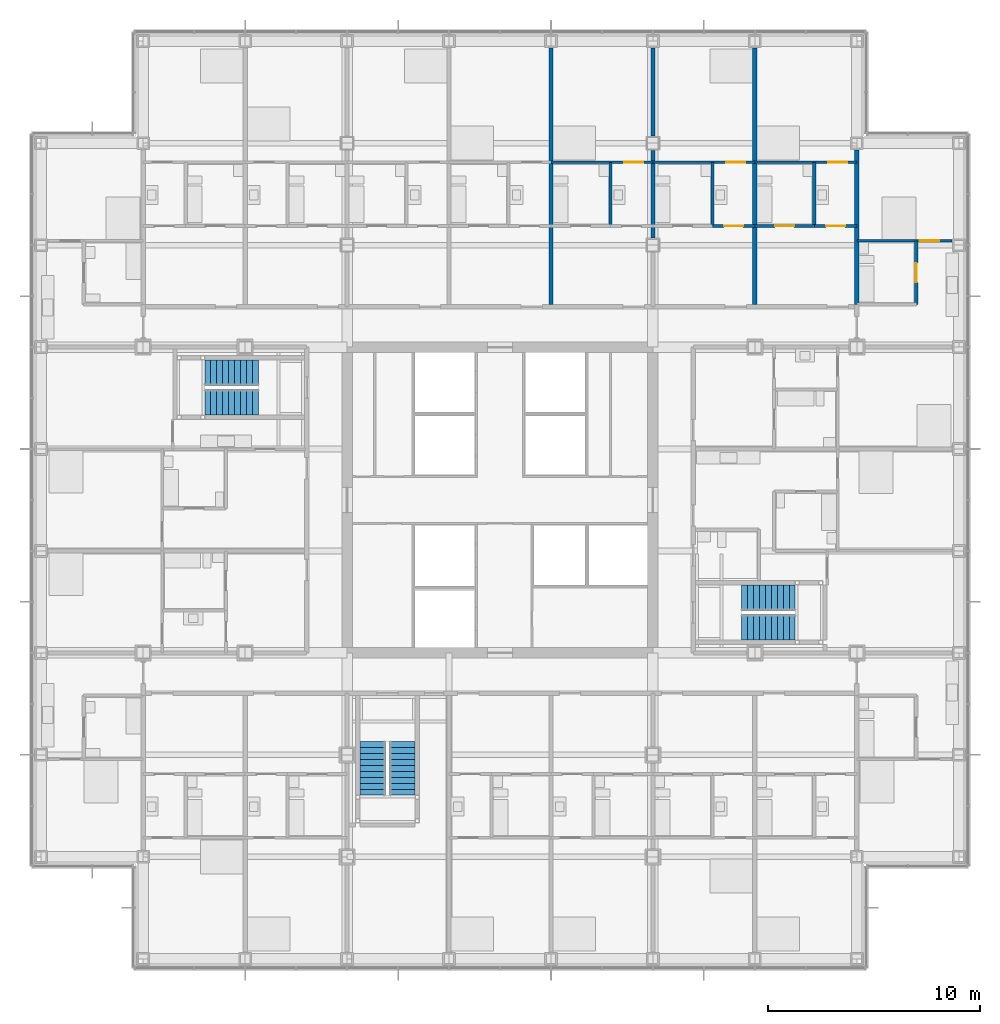
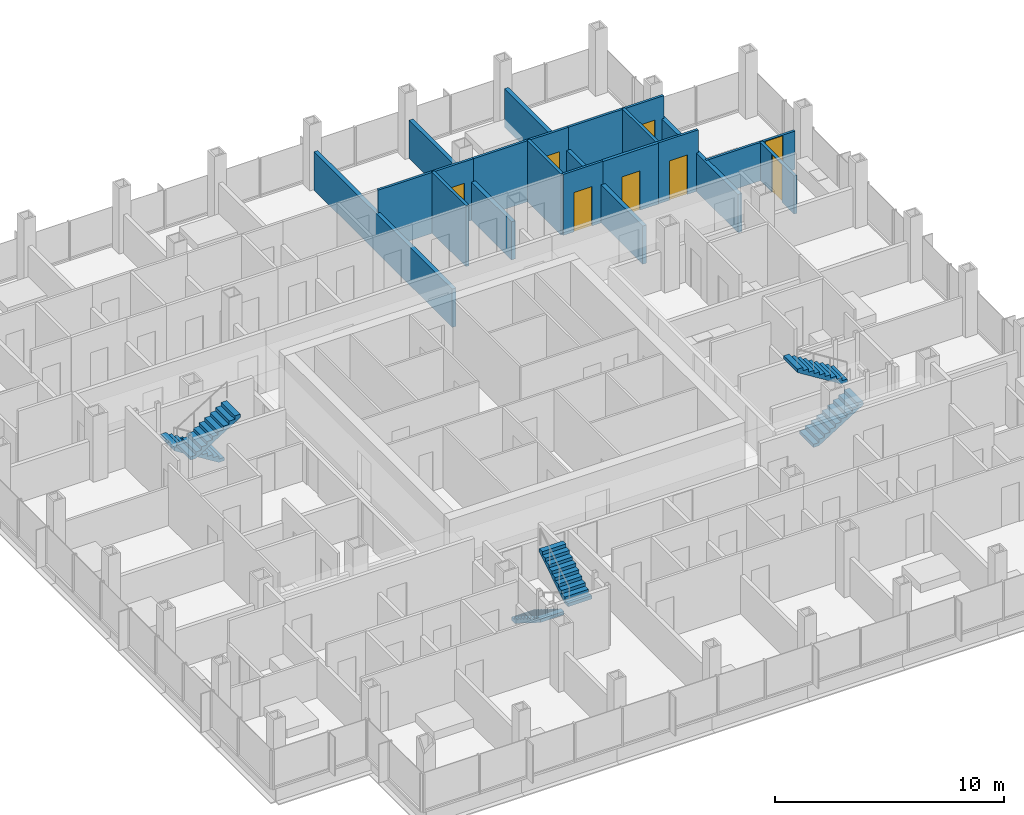
# One storey, part 19 of 22: 16 walls, 8 doors, 6 stair flights, 8 openings, 3 elements without a shape of their own.
"""IFC4 building model written with IfcOpenShell, lengths in metres."""

from ifc_helpers import new_model, si_unit, direction, frame, frame_2d, origin, place, context, subcontext, project, spatial, polyline, rectangle, outline, extrude, material, layer, layer_set, type_object, element, fill, aggregate, save


model = new_model("IFC4")

# Units and contexts
model_context = context("Model", 3, precision=1e-05, world=origin(), true_north=direction((0.0, 1.0)))
body_context = subcontext(model_context, "Body", "Model", "MODEL_VIEW")
ifc_project = project(units=[si_unit("LENGTHUNIT", "METRE"), si_unit("AREAUNIT", "SQUARE_METRE"), si_unit("VOLUMEUNIT", "CUBIC_METRE"), si_unit("PLANEANGLEUNIT", "RADIAN"), si_unit("MASSUNIT", "GRAM", prefix="KILO")], contexts=[model_context])

# Site, building, storey
site_placement = place(None, origin())
site = spatial("IfcSite", under=ifc_project, at=site_placement, CompositionType="ELEMENT")
building_placement = place(site_placement, origin())
building = spatial("IfcBuilding", under=site, at=building_placement, Name="Kvirike Care Tower", CompositionType="ELEMENT")
storey_placement = place(building_placement, frame((0.0, 0.0, 76.0)))
storey = spatial("IfcBuildingStorey", under=building, at=storey_placement, Name="L20", CompositionType="ELEMENT", Elevation=76.0)

# Wall
ifc_material_1 = material(Name="Moisture-resistant board partition", Category="gypsum")
ifc_layer_1 = layer(ifc_material_1, 0.14990234375)
ifc_layer_set_1 = layer_set([ifc_layer_1], Name="BATHROOM WALL 150")
wall_type_1 = type_object("IfcWallType", Name="BATHROOM WALL 150", PredefinedType="PARTITIONING", material=ifc_layer_set_1)
wall_1_placement = place(storey_placement, frame((26.800048828125, 51.89990234375, 0.0), z_axis=(0.0, 0.0, 1.0), x_axis=(0.0, -1.0, 0.0)))
element("IfcWall", 1, at=wall_1_placement, inside=storey, type_object=wall_type_1, Name="Bathroom Wall 150 L20", PredefinedType="PARTITIONING", context=body_context, shape_type="SweptSolid", body=[
    extrude(rectangle(XDim=3.0, YDim=0.14990234375, at=frame_2d((1.5, 0.0))), origin(), (0.0, 0.0, 1.0), 3.25),
])

# Wall, opening, door
wall_2_placement = place(storey_placement, frame((41.199951171875, 48.199951171875, 0.0), z_axis=(0.0, 0.0, 1.0), x_axis=(0.0, -1.0, 0.0)))
wall_2 = element("IfcWall", 2, at=wall_2_placement, inside=storey, type_object=wall_type_1, Name="Bathroom Wall 150 L20", PredefinedType="PARTITIONING", context=body_context, shape_type="SweptSolid", body=[
    extrude(rectangle(XDim=3.0, YDim=0.14990234375, at=frame_2d((1.5, 0.0))), origin(), (0.0, 0.0, 1.0), 2.0400390625),
])
opening_1_placement = place(wall_2_placement, frame((1.050048828125, 0.0, 0.0)))
opening_1 = element("IfcOpeningElement", 3, at=opening_1_placement, cuts=wall_2, Name="Opening 20-076", PredefinedType="OPENING", context=body_context, shape_type="SweptSolid", body=[
    extrude(rectangle(XDim=0.89990234375, YDim=2.0, at=frame_2d((0.449951171875, 1.0))), frame((0.0, 0.08544921875, 0.0), z_axis=(0.0, -1.0, 0.0), x_axis=(1.0, 0.0, 0.0)), (0.0, 0.0, 1.0), 0.1708984375),
])
ifc_material_2 = material(Name="Timber door set", Category="wood")
door_type_1 = type_object("IfcDoorType", Name="BATHROOM DOOR 900 x 2000", OperationType="SINGLE_SWING_RIGHT", PredefinedType="DOOR", material=ifc_material_2)
door_1_placement = place(opening_1_placement, frame((0.89990234375, 0.0, 0.0), z_axis=(0.0, 0.0, 1.0), x_axis=(-1.0, 0.0, 0.0)))
door_1 = element("IfcDoor", 4, at=door_1_placement, inside=storey, type_object=door_type_1, Name="Bathroom door", OperationType="SINGLE_SWING_RIGHT", OverallHeight=2.0, OverallWidth=0.89990234375, PredefinedType="DOOR", context=body_context, shape_type="SweptSolid", body=[
    extrude(rectangle(XDim=0.89990234375, YDim=2.0, at=frame_2d((0.449951171875, 1.0))), frame((0.0, 0.02197265625, 0.0), z_axis=(0.0, -1.0, 0.0), x_axis=(1.0, 0.0, 0.0)), (0.0, 0.0, 1.0), 0.0439453125),
])
fill(opening_1, door_1)

# Wall
wall_3_placement = place(storey_placement, frame((36.39990234375, 51.89990234375, 0.0), z_axis=(0.0, 0.0, 1.0), x_axis=(0.0, -1.0, 0.0)))
element("IfcWall", 5, at=wall_3_placement, inside=storey, type_object=wall_type_1, Name="Bathroom Wall 150 L20", PredefinedType="PARTITIONING", context=body_context, shape_type="SweptSolid", body=[
    extrude(rectangle(XDim=3.0, YDim=0.14990234375, at=frame_2d((1.5, 0.0))), origin(), (0.0, 0.0, 1.0), 3.25),
])

# Wall, opening, door
wall_4_placement = place(storey_placement, frame((36.39990234375, 48.89990234375, 0.0), z_axis=(0.0, 0.0, 1.0), x_axis=(-1.0, 0.0, 0.0)))
wall_4 = element("IfcWall", 6, at=wall_4_placement, inside=storey, type_object=wall_type_1, Name="Bathroom Wall 150 L20", PredefinedType="PARTITIONING", context=body_context, shape_type="SweptSolid", body=[
    extrude(rectangle(XDim=2.7998046875, YDim=0.14990234375, at=frame_2d((1.39990234375, 0.0))), origin(), (0.0, 0.0, 1.0), 3.25),
])
opening_2_placement = place(wall_4_placement, frame((0.949951171875, 0.0, 0.0)))
opening_2 = element("IfcOpeningElement", 7, at=opening_2_placement, cuts=wall_4, Name="Opening 20-078", PredefinedType="OPENING", context=body_context, shape_type="SweptSolid", body=[
    extrude(rectangle(XDim=0.89990234375, YDim=2.10009765625, at=frame_2d((0.449951171875, 1.050048828125))), frame((0.0, 0.08544921875, 0.0), z_axis=(0.0, -1.0, 0.0), x_axis=(1.0, 0.0, 0.0)), (0.0, 0.0, 1.0), 0.1708984375),
])
ifc_material_3 = material(Name="Timber door set", Category="wood")
door_type_2 = type_object("IfcDoorType", Name="BATHROOM DOOR 900", OperationType="SINGLE_SWING_RIGHT", PredefinedType="DOOR", material=ifc_material_3)
door_2_placement = place(opening_2_placement, frame((0.89990234375, 0.0, 0.0), z_axis=(0.0, 0.0, 1.0), x_axis=(-1.0, 0.0, 0.0)))
door_2 = element("IfcDoor", 8, at=door_2_placement, inside=storey, type_object=door_type_2, Name="Bathroom door", OperationType="SINGLE_SWING_RIGHT", OverallHeight=2.10009765625, OverallWidth=0.89990234375, PredefinedType="DOOR", context=body_context, shape_type="SweptSolid", body=[
    extrude(rectangle(XDim=0.89990234375, YDim=2.10009765625, at=frame_2d((0.449951171875, 1.050048828125))), frame((0.0, 0.02197265625, 0.0), z_axis=(0.0, -1.0, 0.0), x_axis=(1.0, 0.0, 0.0)), (0.0, 0.0, 1.0), 0.0439453125),
])
fill(opening_2, door_2)

# Wall
wall_5_placement = place(storey_placement, frame((31.60009765625, 51.89990234375, 0.0), z_axis=(0.0, 0.0, 1.0), x_axis=(0.0, -1.0, 0.0)))
element("IfcWall", 9, at=wall_5_placement, inside=storey, type_object=wall_type_1, Name="Bathroom Wall 150 L20", PredefinedType="PARTITIONING", context=body_context, shape_type="SweptSolid", body=[
    extrude(rectangle(XDim=3.0, YDim=0.14990234375, at=frame_2d((1.5, 0.0))), origin(), (0.0, 0.0, 1.0), 3.25),
])

# Wall, opening, door
ifc_material_4 = material(Name="Plasterboard partition", Category="gypsum")
ifc_layer_2 = layer(ifc_material_4, 0.1201171875)
ifc_layer_set_2 = layer_set([ifc_layer_2], Name="PARTITION 120")
wall_type_2 = type_object("IfcWallType", Name="PARTITION 120", PredefinedType="PARTITIONING", material=ifc_layer_set_2)
wall_6_placement = place(storey_placement, frame((28.800048828125, 51.89990234375, 0.0), z_axis=(0.0, 0.0, 1.0), x_axis=(-1.0, 0.0, 0.0)))
wall_6 = element("IfcWall", 10, at=wall_6_placement, inside=storey, type_object=wall_type_2, Name="Partition 120 L20", PredefinedType="PARTITIONING", context=body_context, shape_type="SweptSolid", body=[
    extrude(rectangle(XDim=4.800048828125, YDim=0.1201171875, at=frame_2d((2.39990234375, 0.0))), origin(), (0.0, 0.0, 1.0), 3.25),
])
opening_3_placement = place(wall_6_placement, frame((0.449951171875, 0.0, 0.0)))
opening_3 = element("IfcOpeningElement", 11, at=opening_3_placement, cuts=wall_6, Name="Opening 20-045", PredefinedType="OPENING", context=body_context, shape_type="SweptSolid", body=[
    extrude(rectangle(XDim=0.89990234375, YDim=2.10009765625, at=frame_2d((0.449951171875, 1.050048828125))), frame((0.0, 0.070556640625, 0.0), z_axis=(0.0, -1.0, 0.0), x_axis=(1.0, 0.0, 0.0)), (0.0, 0.0, 1.0), 0.14111328125),
])
ifc_material_5 = material(Name="Timber door set", Category="wood")
door_type_3 = type_object("IfcDoorType", Name="INTERNAL DOOR 900", OperationType="SINGLE_SWING_LEFT", PredefinedType="DOOR", material=ifc_material_5)
door_3_placement = place(opening_3_placement, origin())
door_3 = element("IfcDoor", 12, at=door_3_placement, inside=storey, type_object=door_type_3, Name="Studio apartment living room door", OperationType="SINGLE_SWING_RIGHT", OverallHeight=2.10009765625, OverallWidth=0.89990234375, PredefinedType="DOOR", context=body_context, shape_type="SweptSolid", body=[
    extrude(rectangle(XDim=0.89990234375, YDim=2.10009765625, at=frame_2d((0.449951171875, 1.050048828125))), frame((0.0, 0.02197265625, 0.0), z_axis=(0.0, -1.0, 0.0), x_axis=(1.0, 0.0, 0.0)), (0.0, 0.0, 1.0), 0.0439453125),
])
fill(opening_3, door_3)

wall_7_placement = place(storey_placement, frame((42.8798828125, 48.199951171875, 0.0), z_axis=(0.0, 0.0, 1.0), x_axis=(-1.0, 0.0, 0.0)))
wall_7 = element("IfcWall", 13, at=wall_7_placement, inside=storey, type_object=wall_type_2, Name="Partition 120 L20", PredefinedType="PARTITIONING", context=body_context, shape_type="SweptSolid", body=[
    extrude(rectangle(XDim=4.47998046875, YDim=0.1201171875, at=frame_2d((2.239990234375, 0.0))), origin(), (0.0, 0.0, 1.0), 2.0400390625),
])
opening_4_placement = place(wall_7_placement, frame((0.60498046875, 0.0, 0.0)))
opening_4 = element("IfcOpeningElement", 14, at=opening_4_placement, cuts=wall_7, Name="Opening 20-077", PredefinedType="OPENING", context=body_context, shape_type="SweptSolid", body=[
    extrude(rectangle(XDim=0.89990234375, YDim=2.0, at=frame_2d((0.449951171875, 1.0))), frame((0.0, 0.070556640625, 0.0), z_axis=(0.0, -1.0, 0.0), x_axis=(1.0, 0.0, 0.0)), (0.0, 0.0, 1.0), 0.14111328125),
])
ifc_material_6 = material(Name="Timber door set", Category="wood")
door_type_4 = type_object("IfcDoorType", Name="INTERNAL DOOR 900 x 2000", OperationType="SINGLE_SWING_LEFT", PredefinedType="DOOR", material=ifc_material_6)
door_4_placement = place(opening_4_placement, origin())
door_4 = element("IfcDoor", 15, at=door_4_placement, inside=storey, type_object=door_type_4, Name="Studio apartment living room door", OperationType="SINGLE_SWING_LEFT", OverallHeight=2.0, OverallWidth=0.89990234375, PredefinedType="DOOR", context=body_context, shape_type="SweptSolid", body=[
    extrude(rectangle(XDim=0.89990234375, YDim=2.0, at=frame_2d((0.449951171875, 1.0))), frame((0.0, 0.02197265625, 0.0), z_axis=(0.0, -1.0, 0.0), x_axis=(1.0, 0.0, 0.0)), (0.0, 0.0, 1.0), 0.0439453125),
])
fill(opening_4, door_4)

wall_8_placement = place(storey_placement, frame((38.39990234375, 48.89990234375, 0.0), z_axis=(0.0, 0.0, 1.0), x_axis=(-1.0, 0.0, 0.0)))
wall_8 = element("IfcWall", 16, at=wall_8_placement, inside=storey, type_object=wall_type_2, Name="Partition 120 L20", PredefinedType="PARTITIONING", context=body_context, shape_type="SweptSolid", body=[
    extrude(rectangle(XDim=2.0, YDim=0.1201171875, at=frame_2d((1.0, 0.0))), origin(), (0.0, 0.0, 1.0), 3.25),
])
opening_5_placement = place(wall_8_placement, frame((0.550048828125, 0.0, 0.0)))
opening_5 = element("IfcOpeningElement", 17, at=opening_5_placement, cuts=wall_8, Name="Opening 20-079", PredefinedType="OPENING", context=body_context, shape_type="SweptSolid", body=[
    extrude(rectangle(XDim=0.89990234375, YDim=2.10009765625, at=frame_2d((0.449951171875, 1.050048828125))), frame((0.0, 0.070556640625, 0.0), z_axis=(0.0, -1.0, 0.0), x_axis=(1.0, 0.0, 0.0)), (0.0, 0.0, 1.0), 0.14111328125),
])
door_5_placement = place(opening_5_placement, frame((0.89990234375, 0.0, 0.0), z_axis=(0.0, 0.0, 1.0), x_axis=(-1.0, 0.0, 0.0)))
door_5 = element("IfcDoor", 18, at=door_5_placement, inside=storey, type_object=door_type_3, Name="Kitchen door", OperationType="SINGLE_SWING_RIGHT", OverallHeight=2.10009765625, OverallWidth=0.89990234375, PredefinedType="DOOR", context=body_context, shape_type="SweptSolid", body=[
    extrude(rectangle(XDim=0.89990234375, YDim=2.10009765625, at=frame_2d((0.449951171875, 1.050048828125))), frame((0.0, 0.02197265625, 0.0), z_axis=(0.0, -1.0, 0.0), x_axis=(1.0, 0.0, 0.0)), (0.0, 0.0, 1.0), 0.0439453125),
])
fill(opening_5, door_5)

wall_9_placement = place(storey_placement, frame((38.39990234375, 51.89990234375, 0.0), z_axis=(0.0, 0.0, 1.0), x_axis=(-1.0, 0.0, 0.0)))
wall_9 = element("IfcWall", 19, at=wall_9_placement, inside=storey, type_object=wall_type_2, Name="Partition 120 L20", PredefinedType="PARTITIONING", context=body_context, shape_type="SweptSolid", body=[
    extrude(rectangle(XDim=4.7998046875, YDim=0.1201171875, at=frame_2d((2.39990234375, 0.0))), origin(), (0.0, 0.0, 1.0), 3.25),
])
opening_6_placement = place(wall_9_placement, frame((0.449951171875, 0.0, 0.0)))
opening_6 = element("IfcOpeningElement", 20, at=opening_6_placement, cuts=wall_9, Name="Opening 20-080", PredefinedType="OPENING", context=body_context, shape_type="SweptSolid", body=[
    extrude(rectangle(XDim=0.89990234375, YDim=2.10009765625, at=frame_2d((0.449951171875, 1.050048828125))), frame((0.0, 0.070556640625, 0.0), z_axis=(0.0, -1.0, 0.0), x_axis=(1.0, 0.0, 0.0)), (0.0, 0.0, 1.0), 0.14111328125),
])
door_6_placement = place(opening_6_placement, origin())
door_6 = element("IfcDoor", 21, at=door_6_placement, inside=storey, type_object=door_type_3, Name="Studio apartment living room door", OperationType="SINGLE_SWING_RIGHT", OverallHeight=2.10009765625, OverallWidth=0.89990234375, PredefinedType="DOOR", context=body_context, shape_type="SweptSolid", body=[
    extrude(rectangle(XDim=0.89990234375, YDim=2.10009765625, at=frame_2d((0.449951171875, 1.050048828125))), frame((0.0, 0.02197265625, 0.0), z_axis=(0.0, -1.0, 0.0), x_axis=(1.0, 0.0, 0.0)), (0.0, 0.0, 1.0), 0.0439453125),
])
fill(opening_6, door_6)

wall_10_placement = place(storey_placement, frame((33.60009765625, 48.89990234375, 0.0), z_axis=(0.0, 0.0, 1.0), x_axis=(-1.0, 0.0, 0.0)))
wall_10 = element("IfcWall", 22, at=wall_10_placement, inside=storey, type_object=wall_type_2, Name="Partition 120 L20", PredefinedType="PARTITIONING", context=body_context, shape_type="SweptSolid", body=[
    extrude(rectangle(XDim=2.0, YDim=0.1201171875, at=frame_2d((1.0, 0.0))), origin(), (0.0, 0.0, 1.0), 3.25),
])
opening_7_placement = place(wall_10_placement, frame((0.550048828125, 0.0, 0.0)))
opening_7 = element("IfcOpeningElement", 23, at=opening_7_placement, cuts=wall_10, Name="Opening 20-082", PredefinedType="OPENING", context=body_context, shape_type="SweptSolid", body=[
    extrude(rectangle(XDim=0.89990234375, YDim=2.10009765625, at=frame_2d((0.449951171875, 1.050048828125))), frame((0.0, 0.070556640625, 0.0), z_axis=(0.0, -1.0, 0.0), x_axis=(1.0, 0.0, 0.0)), (0.0, 0.0, 1.0), 0.14111328125),
])
door_7_placement = place(opening_7_placement, frame((0.89990234375, 0.0, 0.0), z_axis=(0.0, 0.0, 1.0), x_axis=(-1.0, 0.0, 0.0)))
door_7 = element("IfcDoor", 24, at=door_7_placement, inside=storey, type_object=door_type_3, Name="Kitchen door", OperationType="SINGLE_SWING_RIGHT", OverallHeight=2.10009765625, OverallWidth=0.89990234375, PredefinedType="DOOR", context=body_context, shape_type="SweptSolid", body=[
    extrude(rectangle(XDim=0.89990234375, YDim=2.10009765625, at=frame_2d((0.449951171875, 1.050048828125))), frame((0.0, 0.02197265625, 0.0), z_axis=(0.0, -1.0, 0.0), x_axis=(1.0, 0.0, 0.0)), (0.0, 0.0, 1.0), 0.0439453125),
])
fill(opening_7, door_7)

wall_11_placement = place(storey_placement, frame((33.60009765625, 51.89990234375, 0.0), z_axis=(0.0, 0.0, 1.0), x_axis=(-1.0, 0.0, 0.0)))
wall_11 = element("IfcWall", 25, at=wall_11_placement, inside=storey, type_object=wall_type_2, Name="Partition 120 L20", PredefinedType="PARTITIONING", context=body_context, shape_type="SweptSolid", body=[
    extrude(rectangle(XDim=4.800048828125, YDim=0.1201171875, at=frame_2d((2.39990234375, 0.0))), origin(), (0.0, 0.0, 1.0), 3.25),
])
opening_8_placement = place(wall_11_placement, frame((0.449951171875, 0.0, 0.0)))
opening_8 = element("IfcOpeningElement", 26, at=opening_8_placement, cuts=wall_11, Name="Opening 20-083", PredefinedType="OPENING", context=body_context, shape_type="SweptSolid", body=[
    extrude(rectangle(XDim=0.89990234375, YDim=2.10009765625, at=frame_2d((0.449951171875, 1.050048828125))), frame((0.0, 0.070556640625, 0.0), z_axis=(0.0, -1.0, 0.0), x_axis=(1.0, 0.0, 0.0)), (0.0, 0.0, 1.0), 0.14111328125),
])
door_8_placement = place(opening_8_placement, origin())
door_8 = element("IfcDoor", 27, at=door_8_placement, inside=storey, type_object=door_type_3, Name="Studio apartment living room door", OperationType="SINGLE_SWING_RIGHT", OverallHeight=2.10009765625, OverallWidth=0.89990234375, PredefinedType="DOOR", context=body_context, shape_type="SweptSolid", body=[
    extrude(rectangle(XDim=0.89990234375, YDim=2.10009765625, at=frame_2d((0.449951171875, 1.050048828125))), frame((0.0, 0.02197265625, 0.0), z_axis=(0.0, -1.0, 0.0), x_axis=(1.0, 0.0, 0.0)), (0.0, 0.0, 1.0), 0.0439453125),
])
fill(opening_8, door_8)

# Walls
ifc_material_7 = material(Name="Plasterboard party wall", Category="gypsum")
ifc_layer_3 = layer(ifc_material_7, 0.199951171875)
ifc_layer_set_3 = layer_set([ifc_layer_3], Name="PARTY WALL 200")
wall_type_3 = type_object("IfcWallType", Name="PARTY WALL 200", PredefinedType="PARTITIONING", material=ifc_layer_set_3)
wall_12_placement = place(storey_placement, frame((24.0, 57.280029296875, 0.0), z_axis=(0.0, 0.0, 1.0), x_axis=(0.0, -1.0, 0.0)))
element("IfcWall", 28, at=wall_12_placement, inside=storey, type_object=wall_type_3, Name="Party Wall 200 L20", PredefinedType="PARTITIONING", context=body_context, shape_type="SweptSolid", body=[
    extrude(rectangle(XDim=12.080078125, YDim=0.199951171875, at=frame_2d((6.0400390625, 0.0))), origin(), (0.0, 0.0, 1.0), 2.0400390625),
])
wall_13_placement = place(storey_placement, frame((38.39990234375, 52.47998046875, 0.0), z_axis=(0.0, 0.0, 1.0), x_axis=(0.0, -1.0, 0.0)))
element("IfcWall", 29, at=wall_13_placement, inside=storey, type_object=wall_type_3, Name="Party Wall 200 L20", PredefinedType="PARTITIONING", context=body_context, shape_type="SweptSolid", body=[
    extrude(rectangle(XDim=7.280029296875, YDim=0.199951171875, at=frame_2d((3.64013671875, 0.0))), origin(), (0.0, 0.0, 1.0), 2.0400390625),
])
wall_14_placement = place(storey_placement, frame((33.60009765625, 57.280029296875, 0.0), z_axis=(0.0, 0.0, 1.0), x_axis=(0.0, -1.0, 0.0)))
element("IfcWall", 30, at=wall_14_placement, inside=storey, type_object=wall_type_3, Name="Party Wall 200 L20", PredefinedType="PARTITIONING", context=body_context, shape_type="SweptSolid", body=[
    extrude(rectangle(XDim=12.080078125, YDim=0.199951171875, at=frame_2d((6.0400390625, 0.0))), origin(), (0.0, 0.0, 1.0), 2.0400390625),
])
wall_15_placement = place(storey_placement, frame((28.800048828125, 48.344970703125, 0.0), z_axis=(0.0, 0.0, 1.0), x_axis=(0.0, 1.0, 0.0)))
element("IfcWall", 31, at=wall_15_placement, inside=storey, type_object=wall_type_3, Name="Party Wall 200 L20", PredefinedType="PARTITIONING", context=body_context, shape_type="SweptSolid", body=[
    extrude(rectangle(XDim=4.110107421875, YDim=0.199951171875, at=frame_2d((2.05517578125, 0.0))), origin(), (0.0, 0.0, 1.0), 2.0400390625),
])
wall_16_placement = place(storey_placement, frame((28.800048828125, 53.14501953125, 0.0), z_axis=(0.0, 0.0, 1.0), x_axis=(0.0, 1.0, 0.0)))
element("IfcWall", 32, at=wall_16_placement, inside=storey, type_object=wall_type_3, Name="Party Wall 200 L20", PredefinedType="PARTITIONING", context=body_context, shape_type="SweptSolid", body=[
    extrude(rectangle(XDim=4.135009765625, YDim=0.199951171875, at=frame_2d((2.0673828125, 0.0))), origin(), (0.0, 0.0, 1.0), 2.0400390625),
])

# Stair, stair flights
ifc_material_8 = material(Name="Concrete C35/45", Category="concrete")
stair_type = type_object("IfcStairType", Name="STAIR 20 RISERS", PredefinedType="HALF_TURN_STAIR", material=ifc_material_8)
stair_1_placement = place(storey_placement, origin())
stair_1 = element("IfcStair", 33, at=stair_1_placement, inside=storey, type_object=stair_type, Name="Stair 1 L20", PredefinedType="HALF_TURN_STAIR")
ifc_material_9 = material(Name="Concrete C35/45", Category="concrete")
stair_flight_type = type_object("IfcStairFlightType", Name="FLIGHT 10 RISERS", PredefinedType="STRAIGHT", material=ifc_material_9)
stair_flight_1_placement = place(storey_placement, frame((10.219970703125, 42.0, 0.0), z_axis=(0.0, 0.0, 1.0), x_axis=(-1.0, 0.0, 0.0)))
stair_flight_1 = element("IfcStairFlight", 34, at=stair_flight_1_placement, type_object=stair_flight_type, Name="Stair S1 flight 1 L20-L21", NumberOfRisers=10, NumberOfTreads=9, PredefinedType="STRAIGHT", RiserHeight=0.175, TreadLength=0.28, context=body_context, shape_type="SweptSolid", body=[
    extrude(outline(polyline([(0.0, 0.0), (0.0, 0.175048828125), (0.280029296875, 0.175048828125), (0.280029296875, 0.35009765625), (0.56005859375, 0.35009765625), (0.56005859375, 0.52490234375), (0.840087890625, 0.52490234375), (0.840087890625, 0.699951171875), (1.1201171875, 0.699951171875), (1.1201171875, 0.875), (1.39990234375, 0.875), (1.39990234375, 1.050048828125), (1.679931640625, 1.050048828125), (1.679931640625, 1.22509765625), (1.9599609375, 1.22509765625), (1.9599609375, 1.39990234375), (2.239990234375, 1.39990234375), (2.239990234375, 1.574951171875), (2.52001953125, 1.574951171875), (2.52001953125, 1.75), (2.52001953125, 1.398193359375), (0.28271484375, 0.0), (0.0, 0.0)])), frame((0.0, 0.60009765625, 0.0), z_axis=(0.0, -1.0, 0.0), x_axis=(1.0, 0.0, 0.0)), (0.0, 0.0, 1.0), 1.199951171875),
])
stair_flight_2_placement = place(storey_placement, frame((7.699951171875, 40.60009765625, 1.75), z_axis=(0.0, 0.0, 1.0), x_axis=(1.0, 0.0, 0.0)))
stair_flight_2 = element("IfcStairFlight", 35, at=stair_flight_2_placement, type_object=stair_flight_type, Name="Stair S1 flight 2 L20-L21", NumberOfRisers=10, NumberOfTreads=9, PredefinedType="STRAIGHT", RiserHeight=0.175, TreadLength=0.28, context=body_context, shape_type="SweptSolid", body=[
    extrude(outline(polyline([(0.0, 0.0), (0.0, 0.175048828125), (0.280029296875, 0.175048828125), (0.280029296875, 0.35009765625), (0.56005859375, 0.35009765625), (0.56005859375, 0.52490234375), (0.840087890625, 0.52490234375), (0.840087890625, 0.699951171875), (1.1201171875, 0.699951171875), (1.1201171875, 0.875), (1.39990234375, 0.875), (1.39990234375, 1.050048828125), (1.679931640625, 1.050048828125), (1.679931640625, 1.22509765625), (1.9599609375, 1.22509765625), (1.9599609375, 1.39990234375), (2.239990234375, 1.39990234375), (2.239990234375, 1.574951171875), (2.52001953125, 1.574951171875), (2.52001953125, 1.75), (2.52001953125, 1.398193359375), (0.28271484375, 0.0), (0.0, 0.0)])), frame((0.0, 0.60009765625, 0.0), z_axis=(0.0, -1.0, 0.0), x_axis=(1.0, 0.0, 0.0)), (0.0, 0.0, 1.0), 1.199951171875),
])
aggregate(stair_1, [stair_flight_1, stair_flight_2])

stair_2_placement = place(storey_placement, origin())
stair_2 = element("IfcStair", 36, at=stair_2_placement, inside=storey, type_object=stair_type, Name="Stair 2 L20", PredefinedType="HALF_TURN_STAIR")
stair_flight_3_placement = place(storey_placement, frame((32.97998046875, 30.0, 0.0), z_axis=(0.0, 0.0, 1.0), x_axis=(1.0, 0.0, 0.0)))
stair_flight_3 = element("IfcStairFlight", 37, at=stair_flight_3_placement, type_object=stair_flight_type, Name="Stair S2 flight 1 L20-L21", NumberOfRisers=10, NumberOfTreads=9, PredefinedType="STRAIGHT", RiserHeight=0.175, TreadLength=0.28, context=body_context, shape_type="SweptSolid", body=[
    extrude(outline(polyline([(0.0, 0.0), (0.0, 0.175048828125), (0.280029296875, 0.175048828125), (0.280029296875, 0.35009765625), (0.56005859375, 0.35009765625), (0.56005859375, 0.52490234375), (0.840087890625, 0.52490234375), (0.840087890625, 0.699951171875), (1.1201171875, 0.699951171875), (1.1201171875, 0.875), (1.39990234375, 0.875), (1.39990234375, 1.050048828125), (1.679931640625, 1.050048828125), (1.679931640625, 1.22509765625), (1.9599609375, 1.22509765625), (1.9599609375, 1.39990234375), (2.239990234375, 1.39990234375), (2.239990234375, 1.574951171875), (2.52001953125, 1.574951171875), (2.52001953125, 1.75), (2.52001953125, 1.398193359375), (0.28271484375, 0.0), (0.0, 0.0)])), frame((0.0, 0.60009765625, 0.0), z_axis=(0.0, -1.0, 0.0), x_axis=(1.0, 0.0, 0.0)), (0.0, 0.0, 1.0), 1.199951171875),
])
stair_flight_4_placement = place(storey_placement, frame((35.5, 31.39990234375, 1.75), z_axis=(0.0, 0.0, 1.0), x_axis=(-1.0, 0.0, 0.0)))
stair_flight_4 = element("IfcStairFlight", 38, at=stair_flight_4_placement, type_object=stair_flight_type, Name="Stair S2 flight 2 L20-L21", NumberOfRisers=10, NumberOfTreads=9, PredefinedType="STRAIGHT", RiserHeight=0.175, TreadLength=0.28, context=body_context, shape_type="SweptSolid", body=[
    extrude(outline(polyline([(0.0, 0.0), (0.0, 0.175048828125), (0.280029296875, 0.175048828125), (0.280029296875, 0.35009765625), (0.56005859375, 0.35009765625), (0.56005859375, 0.52490234375), (0.840087890625, 0.52490234375), (0.840087890625, 0.699951171875), (1.1201171875, 0.699951171875), (1.1201171875, 0.875), (1.39990234375, 0.875), (1.39990234375, 1.050048828125), (1.679931640625, 1.050048828125), (1.679931640625, 1.22509765625), (1.9599609375, 1.22509765625), (1.9599609375, 1.39990234375), (2.239990234375, 1.39990234375), (2.239990234375, 1.574951171875), (2.52001953125, 1.574951171875), (2.52001953125, 1.75), (2.52001953125, 1.398193359375), (0.28271484375, 0.0), (0.0, 0.0)])), frame((0.0, 0.60009765625, 0.0), z_axis=(0.0, -1.0, 0.0), x_axis=(1.0, 0.0, 0.0)), (0.0, 0.0, 1.0), 1.199951171875),
])
aggregate(stair_2, [stair_flight_3, stair_flight_4])

stair_3_placement = place(storey_placement, origin())
stair_3 = element("IfcStair", 39, at=stair_3_placement, inside=storey, type_object=stair_type, Name="Stair 5 L20", PredefinedType="HALF_TURN_STAIR")
stair_flight_5_placement = place(storey_placement, frame((15.60009765625, 24.6201171875, 0.0), z_axis=(0.0, 0.0, 1.0), x_axis=(0.0, -1.0, 0.0)))
stair_flight_5 = element("IfcStairFlight", 40, at=stair_flight_5_placement, type_object=stair_flight_type, Name="Stair S5 flight 1 L20-L21", NumberOfRisers=10, NumberOfTreads=9, PredefinedType="STRAIGHT", RiserHeight=0.175, TreadLength=0.28, context=body_context, shape_type="SweptSolid", body=[
    extrude(outline(polyline([(0.0, 0.0), (0.0, 0.175048828125), (0.280029296875, 0.175048828125), (0.280029296875, 0.35009765625), (0.56005859375, 0.35009765625), (0.56005859375, 0.52490234375), (0.840087890625, 0.52490234375), (0.840087890625, 0.699951171875), (1.1201171875, 0.699951171875), (1.1201171875, 0.875), (1.39990234375, 0.875), (1.39990234375, 1.050048828125), (1.679931640625, 1.050048828125), (1.679931640625, 1.22509765625), (1.9599609375, 1.22509765625), (1.9599609375, 1.39990234375), (2.239990234375, 1.39990234375), (2.239990234375, 1.574951171875), (2.52001953125, 1.574951171875), (2.52001953125, 1.75), (2.52001953125, 1.398193359375), (0.28271484375, 0.0), (0.0, 0.0)])), frame((0.0, 0.60009765625, 0.0), z_axis=(0.0, -1.0, 0.0), x_axis=(1.0, 0.0, 0.0)), (0.0, 0.0, 1.0), 1.199951171875),
])
stair_flight_6_placement = place(storey_placement, frame((17.0, 22.10009765625, 1.75), z_axis=(0.0, 0.0, 1.0), x_axis=(0.0, 1.0, 0.0)))
stair_flight_6 = element("IfcStairFlight", 41, at=stair_flight_6_placement, type_object=stair_flight_type, Name="Stair S5 flight 2 L20-L21", NumberOfRisers=10, NumberOfTreads=9, PredefinedType="STRAIGHT", RiserHeight=0.175, TreadLength=0.28, context=body_context, shape_type="SweptSolid", body=[
    extrude(outline(polyline([(0.0, 0.0), (0.0, 0.175048828125), (0.280029296875, 0.175048828125), (0.280029296875, 0.35009765625), (0.56005859375, 0.35009765625), (0.56005859375, 0.52490234375), (0.840087890625, 0.52490234375), (0.840087890625, 0.699951171875), (1.1201171875, 0.699951171875), (1.1201171875, 0.875), (1.39990234375, 0.875), (1.39990234375, 1.050048828125), (1.679931640625, 1.050048828125), (1.679931640625, 1.22509765625), (1.9599609375, 1.22509765625), (1.9599609375, 1.39990234375), (2.239990234375, 1.39990234375), (2.239990234375, 1.574951171875), (2.52001953125, 1.574951171875), (2.52001953125, 1.75), (2.52001953125, 1.398193359375), (0.28271484375, 0.0), (0.0, 0.0)])), frame((0.0, 0.60009765625, 0.0), z_axis=(0.0, -1.0, 0.0), x_axis=(1.0, 0.0, 0.0)), (0.0, 0.0, 1.0), 1.199951171875),
])
aggregate(stair_3, [stair_flight_5, stair_flight_6])

save(model, "model.ifc")
